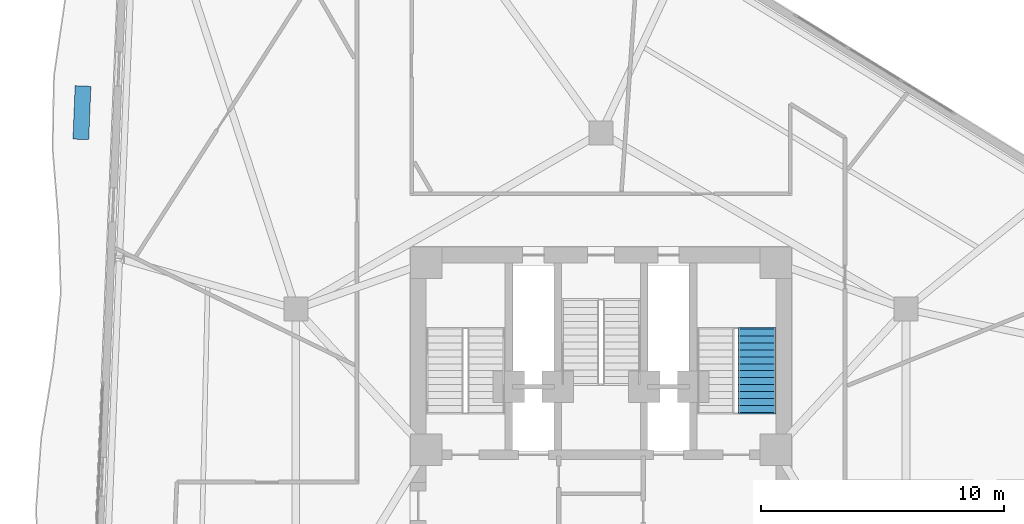
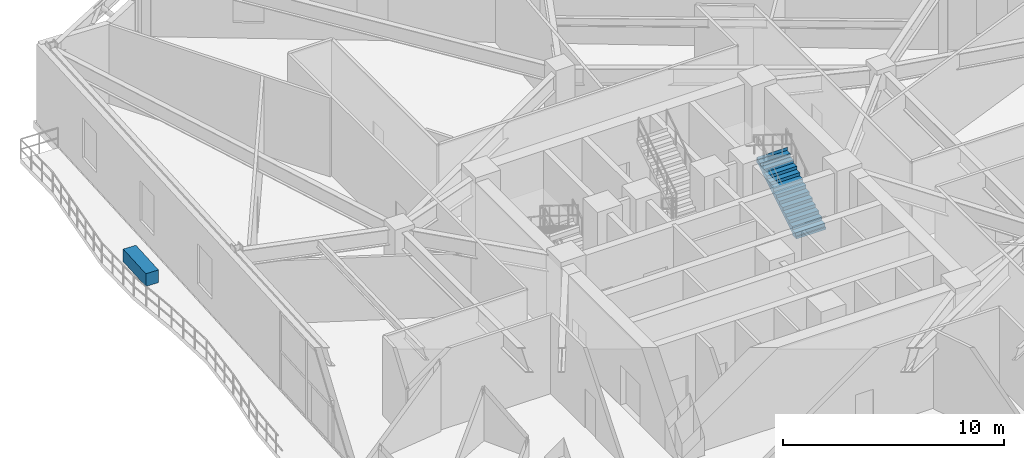
# One storey, part 20 of 22: 1 discrete accessory, 1 stair flight, 1 element without a shape of its own.
"""IFC4 building model written with IfcOpenShell, lengths in metres."""

from ifc_helpers import new_model, si_unit, direction, frame, origin, origin_2d, place, context, subcontext, project, spatial, polyline, rectangle, outline, extrude, material, type_object, element, aggregate, save


model = new_model("IFC4")

# Units and contexts
model_context = context("Model", 3, precision=1e-05, world=origin(), true_north=direction((0.0, 1.0)))
body_context = subcontext(model_context, "Body", "Model", "MODEL_VIEW")
ifc_project = project(units=[si_unit("LENGTHUNIT", "METRE"), si_unit("AREAUNIT", "SQUARE_METRE"), si_unit("VOLUMEUNIT", "CUBIC_METRE"), si_unit("PLANEANGLEUNIT", "RADIAN"), si_unit("MASSUNIT", "GRAM", prefix="KILO")], contexts=[model_context])

# Site, building, storey
site_placement = place(None, origin())
site = spatial("IfcSite", under=ifc_project, at=site_placement, CompositionType="ELEMENT")
building_placement = place(site_placement, origin())
building = spatial("IfcBuilding", under=site, at=building_placement, Name="Apsidion Concourse Tower", CompositionType="ELEMENT")
storey_placement = place(building_placement, frame((0.0, 0.0, 160.89990234375)))
storey = spatial("IfcBuildingStorey", under=building, at=storey_placement, Name="L37", CompositionType="ELEMENT", Elevation=160.89990234375)

# Stair, stair flight
ifc_material = material(Name="Precast concrete C40/50", Category="concrete")
stair_type = type_object("IfcStairType", Name="ST-DL-1550", PredefinedType="HALF_TURN_STAIR", material=ifc_material)
stair_placement = place(storey_placement, origin())
stair = element("IfcStair", 1, at=stair_placement, inside=storey, type_object=stair_type, Name="L37 Protected Core Exit Stair ST2", PredefinedType="HALF_TURN_STAIR")
stair_flight_type = type_object("IfcStairFlightType", Name="SFL-RC-1550", PredefinedType="STRAIGHT", material=ifc_material)
stair_flight_placement = place(storey_placement, frame((6.425048828125, 3.0, 0.0), z_axis=(0.0, 0.0, 1.0), x_axis=(0.0, 1.0, 0.0)))
stair_flight = element("IfcStairFlight", 2, at=stair_flight_placement, type_object=stair_flight_type, Name="ST2 flight 1", NumberOfRisers=13, NumberOfTreads=12, PredefinedType="STRAIGHT", RiserHeight=0.176923077, TreadLength=0.285, context=body_context, shape_type="SweptSolid", body=[
    extrude(outline(polyline([(-0.080078125, -0.1123046875), (-0.080078125, 0.0), (0.0, 0.0), (0.0, 0.177001953125), (0.284912109375, 0.177001953125), (0.284912109375, 0.353759765625), (0.570068359375, 0.353759765625), (0.570068359375, 0.53076171875), (0.85498046875, 0.53076171875), (0.85498046875, 0.707763671875), (1.139892578125, 0.707763671875), (1.139892578125, 0.884521484375), (1.425048828125, 0.884521484375), (1.425048828125, 1.0615234375), (1.7099609375, 1.0615234375), (1.7099609375, 1.238525390625), (1.9951171875, 1.238525390625), (1.9951171875, 1.415283203125), (2.280029296875, 1.415283203125), (2.280029296875, 1.59228515625), (2.56494140625, 1.59228515625), (2.56494140625, 1.769287109375), (2.85009765625, 1.769287109375), (2.85009765625, 1.946044921875), (3.135009765625, 1.946044921875), (3.135009765625, 2.123046875), (3.419921875, 2.123046875), (3.419921875, 2.300048828125), (3.5, 2.21142578125), (3.5, 1.946533203125), (3.419921875, 1.946533203125), (0.2841796875, 0.0), (0.2841796875, -0.1123046875), (-0.080078125, -0.1123046875)])), frame((0.0, 0.77490234375, 0.0), z_axis=(0.0, -1.0, 0.0), x_axis=(1.0, 0.0, 0.0)), (0.0, 0.0, 1.0), 1.550048828125),
])
aggregate(stair, [stair_flight])

# Discrete accessory
discrete_accessory_type = type_object("IfcDiscreteAccessoryType", Name="ACC-PLANTER-90", PredefinedType="USERDEFINED", material=ifc_material)
discrete_accessory_placement = place(storey_placement, frame((-21.37060546875, 15.334228515625, 0.0), z_axis=(0.0, 0.0, 1.0), x_axis=(-0.040829351979, -0.999166134343, 0.0)))
element("IfcDiscreteAccessory", 3, at=discrete_accessory_placement, inside=storey, type_object=discrete_accessory_type, Name="L37 Spiral Sky-Terrace Planter 1", ObjectType="PLANTER", PredefinedType="USERDEFINED", context=body_context, shape_type="SweptSolid", body=[
    extrude(rectangle(XDim=2.199951171875, YDim=0.64990234375, at=origin_2d()), origin(), (0.0, 0.0, 1.0), 0.699951171875),
])

save(model, "model.ifc")
